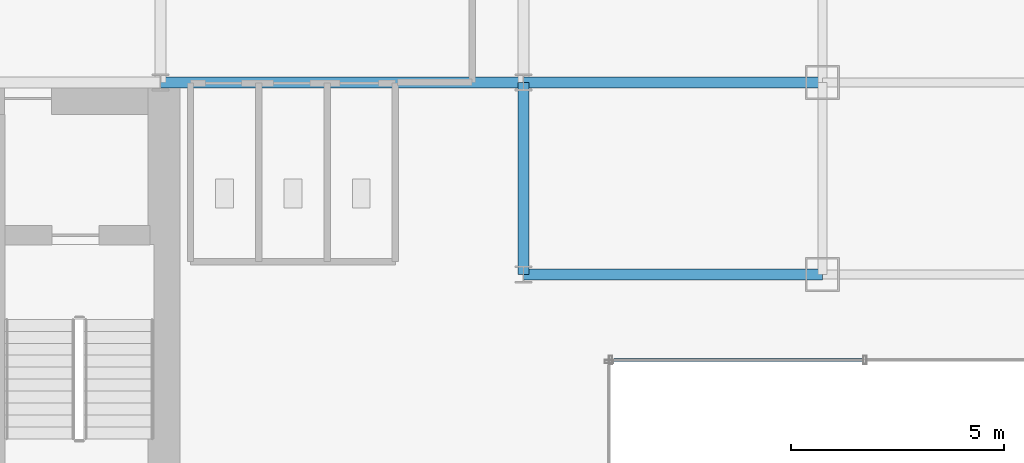
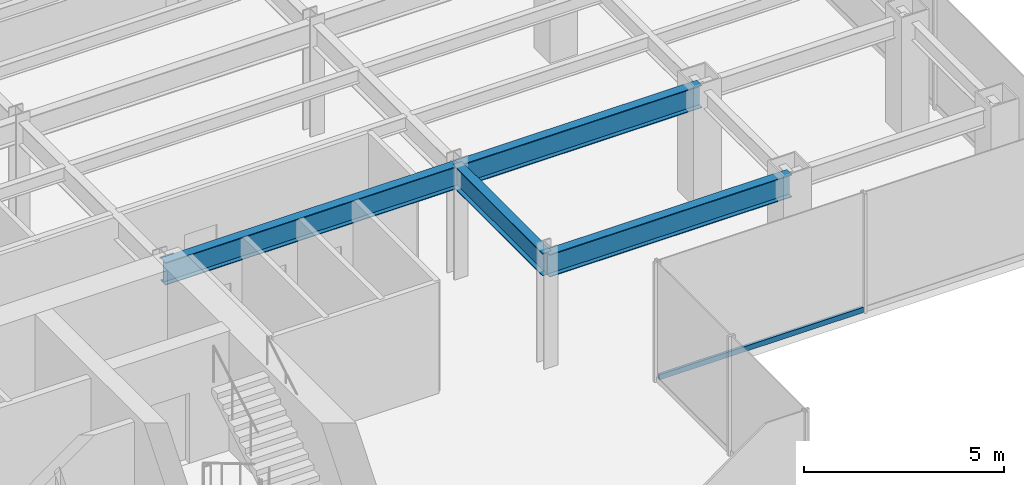
# One storey, part 9 of 26: 4 beams, 1 member, 1 element without a shape of its own.
"""IFC4 building model written with IfcOpenShell, lengths in metres."""

from ifc_helpers import new_model, si_unit, derived_unit, direction, frame, origin, origin_2d, place, context, subcontext, project, spatial, hollow_rectangle, i_section, extrude, source, transform, mapped, material, material_profile, profile_set, type_object, element, aggregate, save


model = new_model("IFC4")

# Units and contexts
model_context = context("Model", 3, precision=1e-05, world=origin(), true_north=direction((0.0, 1.0)))
body_context = subcontext(model_context, "Body", "Model", "MODEL_VIEW")
ifc_project = project(units=[si_unit("LENGTHUNIT", "METRE"), si_unit("AREAUNIT", "SQUARE_METRE"), si_unit("VOLUMEUNIT", "CUBIC_METRE"), si_unit("PLANEANGLEUNIT", "RADIAN"), si_unit("MASSUNIT", "GRAM", prefix="KILO"), derived_unit("THERMALTRANSMITTANCEUNIT", [(si_unit("POWERUNIT", "WATT"), 1), (si_unit("LENGTHUNIT", "METRE"), -2), (si_unit("THERMODYNAMICTEMPERATUREUNIT", "KELVIN"), -1)])], contexts=[model_context])

# Site, building, storey
site_placement = place(None, origin())
site = spatial("IfcSite", under=ifc_project, at=site_placement, CompositionType="ELEMENT")
building_placement = place(site_placement, origin())
building = spatial("IfcBuilding", under=site, at=building_placement, Name="Skarnbrae Concourse Arena and Tower", CompositionType="ELEMENT")
storey_placement = place(building_placement, frame((0.0, 0.0, 92.300048828125)))
storey = spatial("IfcBuildingStorey", under=building, at=storey_placement, Name="L22", CompositionType="ELEMENT", Elevation=92.300048828125)

# Beams
ifc_material_1 = material(Name="Steel CSA G40.21 350W", Category="steel")
ifc_material_profile_1 = material_profile(ifc_material_1, i_section(OverallWidth=0.256103515625, OverallDepth=0.693115234375, WebThickness=0.014404296875, FlangeThickness=0.023681640625, at=origin_2d()), Name="W690X170")
ifc_profile_set_1 = profile_set([ifc_material_profile_1], Name="Steel CSA G40.21 350W")
beam_type = type_object("IfcBeamType", Name="BM-GIRD-W690X170", PredefinedType="BEAM", material=ifc_profile_set_1)
shared_shape_1 = source(origin(), body_context, "Body", "SweptSolid", [
    extrude(i_section(OverallWidth=0.256103515625, OverallDepth=0.693115234375, WebThickness=0.014404296875, FlangeThickness=0.023681640625, at=origin_2d()), origin(), (0.0, 0.0, 1.0), 7.0),
])
for number, where, z_axis, x_axis, name in (
    (1, (42.0, 9.5, 3.053466796875), (1.0, 0.0, 0.0), (0.0, 1.0, 0.0), "L22 Primary E-W girder Y9.5-2"),
    (2, (42.0, 14.0, 3.053466796875), (1.0, 0.0, 0.0), (0.0, 1.0, 0.0), "L22 Primary E-W girder Y14.0-7"),
):
    element("IfcBeam", number, at=place(storey_placement, frame(where, z_axis=z_axis, x_axis=x_axis)), inside=storey, type_object=beam_type, Name=name, PredefinedType="BEAM", context=body_context, shape_type="MappedRepresentation", body=[
        mapped(shared_shape_1, transform((0.0, 0.0, 0.0))),
    ])
shared_shape_2 = source(origin(), body_context, "Body", "SweptSolid", [
    extrude(i_section(OverallWidth=0.256103515625, OverallDepth=0.693115234375, WebThickness=0.014404296875, FlangeThickness=0.023681640625, at=origin_2d()), origin(), (0.0, 0.0, 1.0), 8.5),
])
beam_1_placement = place(storey_placement, frame((33.5, 14.0, 3.053466796875), z_axis=(1.0, 0.0, 0.0), x_axis=(0.0, 1.0, 0.0)))
element("IfcBeam", 3, at=beam_1_placement, inside=storey, type_object=beam_type, Name="L22 Primary E-W girder Y14.0-6", PredefinedType="BEAM", context=body_context, shape_type="MappedRepresentation", body=[
    mapped(shared_shape_2, transform((0.0, 0.0, 0.0))),
])
shared_shape_3 = source(origin(), body_context, "Body", "SweptSolid", [
    extrude(i_section(OverallWidth=0.256103515625, OverallDepth=0.693115234375, WebThickness=0.014404296875, FlangeThickness=0.023681640625, at=origin_2d()), origin(), (0.0, 0.0, 1.0), 4.5),
])
beam_2_placement = place(storey_placement, frame((42.0, 9.5, 3.053466796875), z_axis=(0.0, 1.0, 0.0), x_axis=(-1.0, 0.0, 0.0)))
element("IfcBeam", 4, at=beam_2_placement, inside=storey, type_object=beam_type, Name="L22 Primary N-S girder X42.0-1", PredefinedType="BEAM", context=body_context, shape_type="MappedRepresentation", body=[
    mapped(shared_shape_3, transform((0.0, 0.0, 0.0))),
])

# Curtain wall, member
ifc_material_2 = material(Name="Bronze anodised aluminium 6063-T6", Category="aluminium")
curtain_wall_type = type_object("IfcCurtainWallType", Name="CW-SYS-04-MIDZONE", PredefinedType="USERDEFINED", material=ifc_material_2)
curtain_wall_placement = place(storey_placement, origin())
curtain_wall = element("IfcCurtainWall", 5, at=curtain_wall_placement, inside=storey, type_object=curtain_wall_type, Name="L22 Unitised curtain wall CW-L22-E03", ObjectType="UNITISED CURTAIN WALL", PredefinedType="USERDEFINED")
ifc_material_profile_2 = material_profile(ifc_material_2, hollow_rectangle(XDim=0.074951171875, YDim=0.159912109375, WallThickness=0.00439453125, at=origin_2d()), Name="ALU-TRAN-75X160")
ifc_profile_set_2 = profile_set([ifc_material_profile_2], Name="Bronze anodised aluminium 6063-T6")
member_type = type_object("IfcMemberType", Name="CWT-CW-04", PredefinedType="USERDEFINED", material=ifc_profile_set_2)
shared_shape_4 = source(origin(), body_context, "Body", "SweptSolid", [
    extrude(hollow_rectangle(XDim=0.074951171875, YDim=0.159912109375, WallThickness=0.00439453125, at=origin_2d()), origin(), (0.0, 0.0, 1.0), 5.887451171875),
])
member_placement = place(storey_placement, frame((44.074951171875, 7.5, 0.079833984375), z_axis=(1.0, 0.0, 0.0), x_axis=(0.0, 1.0, 0.0)))
member = element("IfcMember", 6, at=member_placement, type_object=member_type, Name="CW-L22-E03 Transom 1", ObjectType="TRANSOM", PredefinedType="USERDEFINED", context=body_context, shape_type="MappedRepresentation", body=[
    mapped(shared_shape_4, transform((0.0, 0.0, 0.0))),
])
aggregate(curtain_wall, [member])

save(model, "model.ifc")
